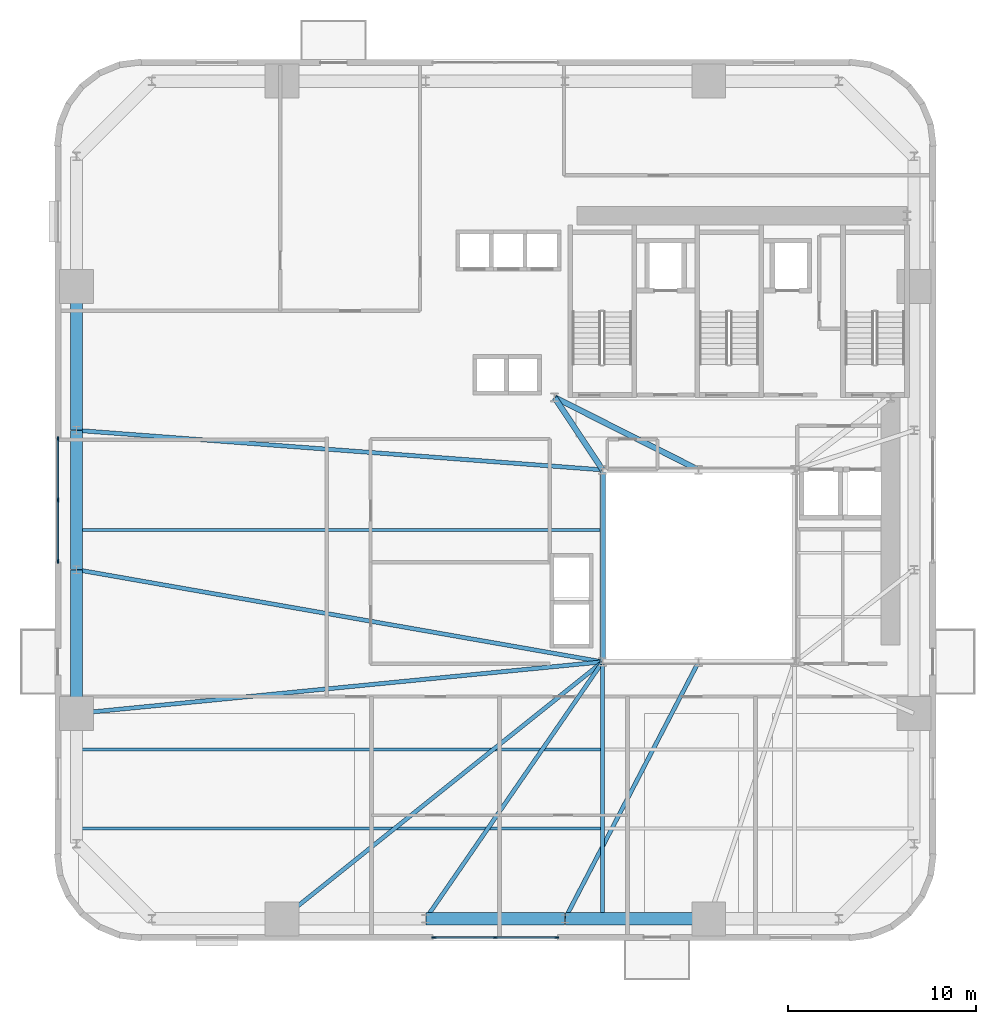
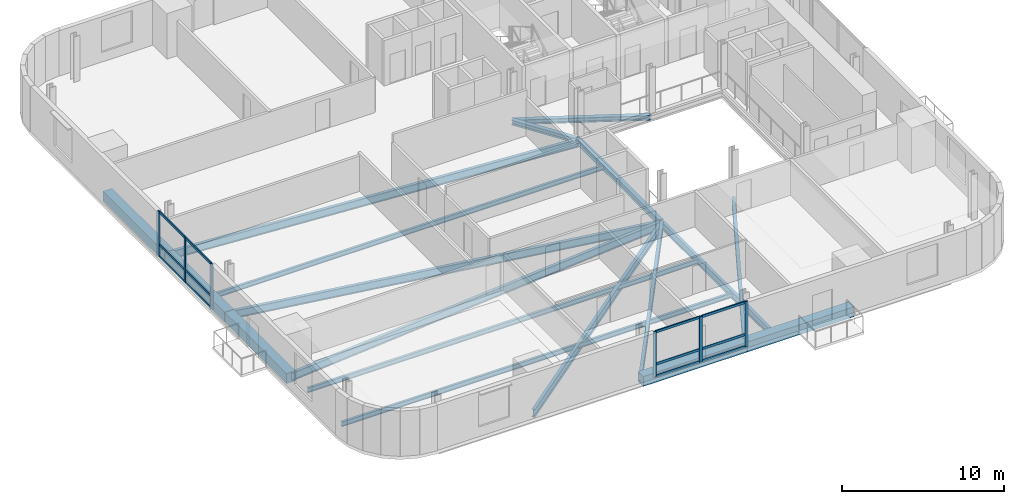
# One storey, part 2 of 13: 18 beams, 18 members, 2 elements without a shape of their own.
"""IFC4 building model written with IfcOpenShell, lengths in metres."""

from ifc_helpers import new_model, si_unit, direction, frame, origin, origin_2d, place, context, subcontext, project, spatial, rectangle, i_section, extrude, source, transform, mapped, material, material_profile, profile_set, type_object, element, aggregate, save


model = new_model("IFC4")

# Units and contexts
model_context = context("Model", 3, precision=1e-05, world=origin(), true_north=direction((0.0, 1.0)))
body_context = subcontext(model_context, "Body", "Model", "MODEL_VIEW")
ifc_project = project(units=[si_unit("LENGTHUNIT", "METRE"), si_unit("AREAUNIT", "SQUARE_METRE"), si_unit("VOLUMEUNIT", "CUBIC_METRE"), si_unit("PLANEANGLEUNIT", "RADIAN"), si_unit("MASSUNIT", "GRAM", prefix="KILO")], contexts=[model_context])

# Site, building, storey
site_placement = place(None, origin())
site = spatial("IfcSite", under=ifc_project, at=site_placement, CompositionType="ELEMENT")
building_placement = place(site_placement, origin())
building = spatial("IfcBuilding", under=site, at=building_placement, Name="Vardaveli Station Tower", CompositionType="ELEMENT")
storey_placement = place(building_placement, frame((0.0, 0.0, 75.050048828125)))
storey = spatial("IfcBuildingStorey", under=building, at=storey_placement, Name="L19", CompositionType="ELEMENT", Elevation=75.050048828125)

# Beams
ifc_material_1 = material(Name="Structural steel S355J2", Category="steel")
ifc_material_profile_1 = material_profile(ifc_material_1, i_section(OverallWidth=0.300048828125, OverallDepth=0.449951171875, WebThickness=0.013916015625, FlangeThickness=0.02587890625, FilletRadius=0.027099609375, at=origin_2d()), Name="HEB 450")
ifc_profile_set_1 = profile_set([ifc_material_profile_1], Name="Structural steel S355J2")
beam_type_1 = type_object("IfcBeamType", Name="BM-HEB450", PredefinedType="BEAM", material=ifc_profile_set_1)
shared_shape_1 = source(origin(), body_context, "Body", "SweptSolid", [
    extrude(i_section(OverallWidth=0.300048828125, OverallDepth=0.449951171875, WebThickness=0.013916015625, FlangeThickness=0.02587890625, FilletRadius=0.027099609375, at=origin_2d()), origin(), (0.0, 0.0, 1.0), 10.159912109375),
])
beam_1_placement = place(storey_placement, frame((31.199951171875, 26.780029296875, -0.465087890625), z_axis=(0.0, -1.0, 0.0), x_axis=(1.0, 0.0, 0.0)))
element("IfcBeam", 1, at=beam_1_placement, inside=storey, type_object=beam_type_1, Name="ABM-L19-06", PredefinedType="BEAM", context=body_context, shape_type="MappedRepresentation", body=[
    mapped(shared_shape_1, transform((0.0, 0.0, 0.0), scale=1.0)),
])
ifc_material_profile_2 = material_profile(ifc_material_1, i_section(OverallWidth=0.300048828125, OverallDepth=0.360107421875, WebThickness=0.012451171875, FlangeThickness=0.0224609375, FilletRadius=0.027099609375, at=origin_2d()), Name="HEB 360")
ifc_profile_set_2 = profile_set([ifc_material_profile_2], Name="Structural steel S355J2")
beam_type_2 = type_object("IfcBeamType", Name="BM-HEB360", PredefinedType="BEAM", material=ifc_profile_set_2)
shared_shape_2 = source(origin(), body_context, "Body", "SweptSolid", [
    extrude(i_section(OverallWidth=0.300048828125, OverallDepth=0.360107421875, WebThickness=0.012451171875, FlangeThickness=0.0224609375, FilletRadius=0.027099609375, at=origin_2d()), origin(), (0.0, 0.0, 1.0), 4.577880859375),
])
beam_2_placement = place(storey_placement, frame((31.18896484375, 26.816650390625, -0.420166015625), z_axis=(-0.55218702139, 0.833720272879, 0.0), x_axis=(-0.833720272879, -0.55218702139, 0.0)))
element("IfcBeam", 2, at=beam_2_placement, inside=storey, type_object=beam_type_2, Name="CBM-L19-01", PredefinedType="BEAM", context=body_context, shape_type="MappedRepresentation", body=[
    mapped(shared_shape_2, transform((0.0, 0.0, 0.0), scale=1.0)),
])
shared_shape_3 = source(origin(), body_context, "Body", "SweptSolid", [
    extrude(i_section(OverallWidth=0.300048828125, OverallDepth=0.360107421875, WebThickness=0.012451171875, FlangeThickness=0.0224609375, FilletRadius=0.027099609375, at=origin_2d()), origin(), (0.0, 0.0, 1.0), 8.524169921875),
])
beam_3_placement = place(storey_placement, frame((28.66796875, 30.64111328125, -0.420166015625), z_axis=(0.893255584708, -0.449549174605, 0.0), x_axis=(0.449549174605, 0.893255584708, 0.0)))
element("IfcBeam", 3, at=beam_3_placement, inside=storey, type_object=beam_type_2, Name="CBM-L19-03", PredefinedType="BEAM", context=body_context, shape_type="MappedRepresentation", body=[
    mapped(shared_shape_3, transform((0.0, 0.0, 0.0), scale=1.0)),
])
ifc_material_2 = material(Name="Precast concrete C45/55", Category="concrete")
ifc_material_profile_3 = material_profile(ifc_material_2, rectangle(XDim=0.64990234375, YDim=0.75, at=origin_2d()), Name="LPB 650x750")
ifc_profile_set_3 = profile_set([ifc_material_profile_3], Name="Precast concrete C45/55")
beam_type_3 = type_object("IfcBeamType", Name="BM-LPB-750", PredefinedType="BEAM", material=ifc_profile_set_3)
shared_shape_4 = source(origin(), body_context, "Body", "SweptSolid", [
    extrude(rectangle(XDim=0.64990234375, YDim=0.75, at=origin_2d()), origin(), (0.0, 0.0, 1.0), 7.60009765625),
])
for number, where, z_axis, x_axis, name in (
    (4, (29.219970703125, 2.949951171875, -0.614990234375), (1.0, 0.0, 0.0), (0.0, 1.0, 0.0), "RBM-L19-03"),
    (5, (3.25, 36.52001953125, -0.614990234375), (0.0, -1.0, 0.0), (1.0, 0.0, 0.0), "RBM-L19-19"),
    (6, (3.25, 21.47998046875, -0.614990234375), (0.0, -1.0, 0.0), (1.0, 0.0, 0.0), "RBM-L19-21"),
):
    element("IfcBeam", number, at=place(storey_placement, frame(where, z_axis=z_axis, x_axis=x_axis)), inside=storey, type_object=beam_type_3, Name=name, PredefinedType="BEAM", context=body_context, shape_type="MappedRepresentation", body=[
        mapped(shared_shape_4, transform((0.0, 0.0, 0.0), scale=1.0)),
    ])
shared_shape_5 = source(origin(), body_context, "Body", "SweptSolid", [
    extrude(rectangle(XDim=0.64990234375, YDim=0.75, at=origin_2d()), origin(), (0.0, 0.0, 1.0), 7.35986328125),
])
for number, where, z_axis, x_axis, name in (
    (7, (21.820068359375, 2.949951171875, -0.614990234375), (1.0, 0.0, 0.0), (0.0, 1.0, 0.0), "RBM-L19-02"),
    (8, (3.25, 28.8798828125, -0.614990234375), (0.0, -1.0, 0.0), (1.0, 0.0, 0.0), "RBM-L19-20"),
):
    element("IfcBeam", number, at=place(storey_placement, frame(where, z_axis=z_axis, x_axis=x_axis)), inside=storey, type_object=beam_type_3, Name=name, PredefinedType="BEAM", context=body_context, shape_type="MappedRepresentation", body=[
        mapped(shared_shape_5, transform((0.0, 0.0, 0.0), scale=1.0)),
    ])
ifc_material_profile_4 = material_profile(ifc_material_1, i_section(OverallWidth=0.219970703125, OverallDepth=0.60009765625, WebThickness=0.011962890625, FlangeThickness=0.01904296875, FilletRadius=0.02392578125, at=origin_2d()), Name="IPE 600")
ifc_profile_set_4 = profile_set([ifc_material_profile_4], Name="Structural steel S355J2")
beam_type_4 = type_object("IfcBeamType", Name="BM-IPE600", PredefinedType="BEAM", material=ifc_profile_set_4)
shared_shape_6 = source(origin(), body_context, "Body", "SweptSolid", [
    extrude(i_section(OverallWidth=0.219970703125, OverallDepth=0.60009765625, WebThickness=0.011962890625, FlangeThickness=0.01904296875, FilletRadius=0.02392578125, at=origin_2d()), origin(), (0.0, 0.0, 1.0), 21.793212890625),
])
beam_4_placement = place(storey_placement, frame((14.175537109375, 2.96240234375, -0.5400390625), z_axis=(0.780466445023, 0.625197671296, 0.0), x_axis=(-0.625197671296, 0.780466445023, 0.0)))
element("IfcBeam", 9, at=beam_4_placement, inside=storey, type_object=beam_type_4, Name="GBM-L19-01", PredefinedType="BEAM", context=body_context, shape_type="MappedRepresentation", body=[
    mapped(shared_shape_6, transform((0.0, 0.0, 0.0), scale=1.0)),
])
shared_shape_7 = source(origin(), body_context, "Body", "SweptSolid", [
    extrude(i_section(OverallWidth=0.219970703125, OverallDepth=0.60009765625, WebThickness=0.011962890625, FlangeThickness=0.01904296875, FilletRadius=0.02392578125, at=origin_2d()), origin(), (0.0, 0.0, 1.0), 16.533447265625),
])
beam_5_placement = place(storey_placement, frame((21.811279296875, 2.966552734375, -0.5400390625), z_axis=(0.567177272103, 0.823595739431, 0.0), x_axis=(-0.823595739431, 0.567177272103, 0.0)))
element("IfcBeam", 10, at=beam_5_placement, inside=storey, type_object=beam_type_4, Name="GBM-L19-02", PredefinedType="BEAM", context=body_context, shape_type="MappedRepresentation", body=[
    mapped(shared_shape_7, transform((0.0, 0.0, 0.0), scale=1.0)),
])
shared_shape_8 = source(origin(), body_context, "Body", "SweptSolid", [
    extrude(i_section(OverallWidth=0.219970703125, OverallDepth=0.60009765625, WebThickness=0.011962890625, FlangeThickness=0.01904296875, FilletRadius=0.02392578125, at=origin_2d()), origin(), (0.0, 0.0, 1.0), 15.34619140625),
])
beam_6_placement = place(storey_placement, frame((29.209228515625, 2.9677734375, -0.5400390625), z_axis=(0.461455420507, 0.887163398075, 0.0), x_axis=(-0.887163398075, 0.461455420507, 0.0)))
element("IfcBeam", 11, at=beam_6_placement, inside=storey, type_object=beam_type_4, Name="GBM-L19-03", PredefinedType="BEAM", context=body_context, shape_type="MappedRepresentation", body=[
    mapped(shared_shape_8, transform((0.0, 0.0, 0.0), scale=1.0)),
])
shared_shape_9 = source(origin(), body_context, "Body", "SweptSolid", [
    extrude(i_section(OverallWidth=0.219970703125, OverallDepth=0.60009765625, WebThickness=0.011962890625, FlangeThickness=0.01904296875, FilletRadius=0.02392578125, at=origin_2d()), origin(), (0.0, 0.0, 1.0), 27.98876953125),
])
beam_7_placement = place(storey_placement, frame((3.27001953125, 28.8984375, -0.5400390625), z_axis=(0.99718954315, -0.074920057611, 0.0), x_axis=(0.074920057611, 0.99718954315, 0.0)))
element("IfcBeam", 12, at=beam_7_placement, inside=storey, type_object=beam_type_4, Name="GBM-L19-08", PredefinedType="BEAM", context=body_context, shape_type="MappedRepresentation", body=[
    mapped(shared_shape_9, transform((0.0, 0.0, 0.0), scale=1.0)),
])
shared_shape_10 = source(origin(), body_context, "Body", "SweptSolid", [
    extrude(i_section(OverallWidth=0.219970703125, OverallDepth=0.60009765625, WebThickness=0.011962890625, FlangeThickness=0.01904296875, FilletRadius=0.02392578125, at=origin_2d()), origin(), (0.0, 0.0, 1.0), 28.33642578125),
])
beam_8_placement = place(storey_placement, frame((3.269775390625, 21.49658203125, -0.5400390625), z_axis=(0.984978267336, -0.172678350921, 0.0), x_axis=(0.172678350921, 0.984978267336, 0.0)))
element("IfcBeam", 13, at=beam_8_placement, inside=storey, type_object=beam_type_4, Name="GBM-L19-09", PredefinedType="BEAM", context=body_context, shape_type="MappedRepresentation", body=[
    mapped(shared_shape_10, transform((0.0, 0.0, 0.0), scale=1.0)),
])
shared_shape_11 = source(origin(), body_context, "Body", "SweptSolid", [
    extrude(i_section(OverallWidth=0.219970703125, OverallDepth=0.60009765625, WebThickness=0.011962890625, FlangeThickness=0.01904296875, FilletRadius=0.02392578125, at=origin_2d()), origin(), (0.0, 0.0, 1.0), 28.0439453125),
])
beam_9_placement = place(storey_placement, frame((3.27001953125, 13.862060546875, -0.5400390625), z_axis=(0.995229237856, 0.097564153855, 0.0), x_axis=(-0.097564153855, 0.995229237856, 0.0)))
element("IfcBeam", 14, at=beam_9_placement, inside=storey, type_object=beam_type_4, Name="GBM-L19-10", PredefinedType="BEAM", context=body_context, shape_type="MappedRepresentation", body=[
    mapped(shared_shape_11, transform((0.0, 0.0, 0.0), scale=1.0)),
])
ifc_material_profile_5 = material_profile(ifc_material_1, i_section(OverallWidth=0.2099609375, OverallDepth=0.550048828125, WebThickness=0.010986328125, FlangeThickness=0.01708984375, FilletRadius=0.02392578125, at=origin_2d()), Name="IPE 550")
ifc_profile_set_5 = profile_set([ifc_material_profile_5], Name="Structural steel S355J2")
beam_type_5 = type_object("IfcBeamType", Name="BM-IPE550", PredefinedType="BEAM", material=ifc_profile_set_5)
shared_shape_12 = source(origin(), body_context, "Body", "SweptSolid", [
    extrude(i_section(OverallWidth=0.2099609375, OverallDepth=0.550048828125, WebThickness=0.010986328125, FlangeThickness=0.01708984375, FilletRadius=0.02392578125, at=origin_2d()), origin(), (0.0, 0.0, 1.0), 13.469970703125),
])
beam_10_placement = place(storey_placement, frame((31.199951171875, 2.989990234375, -0.51513671875), z_axis=(0.0, 1.0, 0.0), x_axis=(-1.0, 0.0, 0.0)))
element("IfcBeam", 15, at=beam_10_placement, inside=storey, type_object=beam_type_5, Name="NSM-L19-S1", PredefinedType="BEAM", context=body_context, shape_type="MappedRepresentation", body=[
    mapped(shared_shape_12, transform((0.0, 0.0, 0.0), scale=1.0)),
])
ifc_material_profile_6 = material_profile(ifc_material_1, i_section(OverallWidth=0.169921875, OverallDepth=0.360107421875, WebThickness=0.008056640625, FlangeThickness=0.0126953125, FilletRadius=0.01806640625, at=origin_2d()), Name="IPE 360")
ifc_profile_set_6 = profile_set([ifc_material_profile_6], Name="Structural steel S355J2")
beam_type_6 = type_object("IfcBeamType", Name="BM-IPE360", PredefinedType="JOIST", material=ifc_profile_set_6)
shared_shape_13 = source(origin(), body_context, "Body", "SweptSolid", [
    extrude(i_section(OverallWidth=0.169921875, OverallDepth=0.360107421875, WebThickness=0.008056640625, FlangeThickness=0.0126953125, FilletRadius=0.01806640625, at=origin_2d()), origin(), (0.0, 0.0, 1.0), 27.7978515625),
])
for number, where, z_axis, x_axis, name in (
    (16, (3.2900390625, 7.75, -0.420166015625), (1.0, 0.0, 0.0), (0.0, 1.0, 0.0), "SJ-L19-S01"),
    (17, (3.2900390625, 11.949951171875, -0.420166015625), (1.0, 0.0, 0.0), (0.0, 1.0, 0.0), "SJ-L19-S04"),
    (18, (3.2900390625, 23.60009765625, -0.420166015625), (1.0, 0.0, 0.0), (0.0, 1.0, 0.0), "SJ-L19-W08"),
):
    element("IfcBeam", number, at=place(storey_placement, frame(where, z_axis=z_axis, x_axis=x_axis)), inside=storey, type_object=beam_type_6, Name=name, PredefinedType="JOIST", context=body_context, shape_type="MappedRepresentation", body=[
        mapped(shared_shape_13, transform((0.0, 0.0, 0.0), scale=1.0)),
    ])

# Curtain wall, members
ifc_material_3 = material(Name="Travertine stone and solar-control glass", Category="masonry")
curtain_wall_type = type_object("IfcCurtainWallType", Name="CW-SYS-2", PredefinedType="NOTDEFINED", material=ifc_material_3)
curtain_wall_1_placement = place(storey_placement, origin())
curtain_wall_1 = element("IfcCurtainWall", 19, at=curtain_wall_1_placement, inside=storey, type_object=curtain_wall_type, Name="CW-L19-S", PredefinedType="NOTDEFINED")
ifc_material_4 = material(Name="Anodised aluminium alloy 6063-T6", Category="aluminium")
ifc_material_profile_7 = material_profile(ifc_material_4, rectangle(XDim=0.0849609375, YDim=0.219970703125, at=origin_2d()), Name="CWM 85x220")
ifc_profile_set_7 = profile_set([ifc_material_profile_7], Name="Anodised aluminium alloy 6063-T6")
member_type_1 = type_object("IfcMemberType", Name="CW-SYS-2-MULL", PredefinedType="MULLION", material=ifc_profile_set_7)
shared_shape_14 = source(origin(), body_context, "Body", "SweptSolid", [
    extrude(rectangle(XDim=0.0849609375, YDim=0.219970703125, at=origin_2d()), origin(), (0.0, 0.0, 1.0), 3.409912109375),
])
member_1_placement = place(storey_placement, frame((22.242431640625, 1.9599609375, 0.0), z_axis=(0.0, 0.0, 1.0), x_axis=(0.0, 1.0, 0.0)))
member_1 = element("IfcMember", 20, at=member_1_placement, type_object=member_type_1, Name="CW-2 mullion 1", PredefinedType="MULLION", context=body_context, shape_type="MappedRepresentation", body=[
    mapped(shared_shape_14, transform((0.0, 0.0, 0.0), scale=1.0)),
])
member_2_placement = place(storey_placement, frame((25.5, 1.9599609375, 0.0), z_axis=(0.0, 0.0, 1.0), x_axis=(0.0, 1.0, 0.0)))
member_2 = element("IfcMember", 21, at=member_2_placement, type_object=member_type_1, Name="CW-2 mullion 2", PredefinedType="MULLION", context=body_context, shape_type="MappedRepresentation", body=[
    mapped(shared_shape_14, transform((0.0, 0.0, 0.0), scale=1.0)),
])
member_3_placement = place(storey_placement, frame((28.757568359375, 1.9599609375, 0.0), z_axis=(0.0, 0.0, 1.0), x_axis=(0.0, 1.0, 0.0)))
member_3 = element("IfcMember", 22, at=member_3_placement, type_object=member_type_1, Name="CW-2 mullion 3", PredefinedType="MULLION", context=body_context, shape_type="MappedRepresentation", body=[
    mapped(shared_shape_14, transform((0.0, 0.0, 0.0), scale=1.0)),
])

curtain_wall_2_placement = place(storey_placement, origin())
curtain_wall_2 = element("IfcCurtainWall", 23, at=curtain_wall_2_placement, inside=storey, type_object=curtain_wall_type, Name="CW-L19-W", PredefinedType="NOTDEFINED")
member_4_placement = place(storey_placement, frame((2.260009765625, 28.45751953125, 0.0), z_axis=(0.0, 0.0, 1.0), x_axis=(1.0, 0.0, 0.0)))
member_4 = element("IfcMember", 24, at=member_4_placement, type_object=member_type_1, Name="CW-2 mullion 1", PredefinedType="MULLION", context=body_context, shape_type="MappedRepresentation", body=[
    mapped(shared_shape_14, transform((0.0, 0.0, 0.0), scale=1.0)),
])
member_5_placement = place(storey_placement, frame((2.260009765625, 25.199951171875, 0.0), z_axis=(0.0, 0.0, 1.0), x_axis=(1.0, 0.0, 0.0)))
member_5 = element("IfcMember", 25, at=member_5_placement, type_object=member_type_1, Name="CW-2 mullion 2", PredefinedType="MULLION", context=body_context, shape_type="MappedRepresentation", body=[
    mapped(shared_shape_14, transform((0.0, 0.0, 0.0), scale=1.0)),
])
member_6_placement = place(storey_placement, frame((2.260009765625, 21.9423828125, 0.0), z_axis=(0.0, 0.0, 1.0), x_axis=(1.0, 0.0, 0.0)))
member_6 = element("IfcMember", 26, at=member_6_placement, type_object=member_type_1, Name="CW-2 mullion 3", PredefinedType="MULLION", context=body_context, shape_type="MappedRepresentation", body=[
    mapped(shared_shape_14, transform((0.0, 0.0, 0.0), scale=1.0)),
])

# Member
ifc_material_profile_8 = material_profile(ifc_material_4, rectangle(XDim=0.0849609375, YDim=0.179931640625, at=origin_2d()), Name="CWT 85x180")
ifc_profile_set_8 = profile_set([ifc_material_profile_8], Name="Anodised aluminium alloy 6063-T6")
member_type_2 = type_object("IfcMemberType", Name="CW-SYS-2-TRAN", PredefinedType="NOTDEFINED", material=ifc_profile_set_8)
shared_shape_15 = source(origin(), body_context, "Body", "SweptSolid", [
    extrude(rectangle(XDim=0.0849609375, YDim=0.179931640625, at=origin_2d()), origin(), (0.0, 0.0, 1.0), 3.172607421875),
])
member_7_placement = place(storey_placement, frame((22.284912109375, 1.9599609375, 0.04248046875), z_axis=(1.0, 0.0, 0.0), x_axis=(0.0, 1.0, 0.0)))
member_7 = element("IfcMember", 27, at=member_7_placement, type_object=member_type_2, Name="CW-2 transom 1.1", ObjectType="TRANSOM", PredefinedType="USERDEFINED", context=body_context, shape_type="MappedRepresentation", body=[
    mapped(shared_shape_15, transform((0.0, 0.0, 0.0), scale=1.0)),
])

member_8_placement = place(storey_placement, frame((22.284912109375, 1.9599609375, 0.949951171875), z_axis=(1.0, 0.0, 0.0), x_axis=(0.0, 1.0, 0.0)))
member_8 = element("IfcMember", 28, at=member_8_placement, type_object=member_type_2, Name="CW-2 transom 1.2", ObjectType="TRANSOM", PredefinedType="USERDEFINED", context=body_context, shape_type="MappedRepresentation", body=[
    mapped(shared_shape_15, transform((0.0, 0.0, 0.0), scale=1.0)),
])

member_9_placement = place(storey_placement, frame((22.284912109375, 1.9599609375, 3.367431640625), z_axis=(1.0, 0.0, 0.0), x_axis=(0.0, 1.0, 0.0)))
member_9 = element("IfcMember", 29, at=member_9_placement, type_object=member_type_2, Name="CW-2 transom 1.3", ObjectType="TRANSOM", PredefinedType="USERDEFINED", context=body_context, shape_type="MappedRepresentation", body=[
    mapped(shared_shape_15, transform((0.0, 0.0, 0.0), scale=1.0)),
])

member_10_placement = place(storey_placement, frame((25.54248046875, 1.9599609375, 0.04248046875), z_axis=(1.0, 0.0, 0.0), x_axis=(0.0, 1.0, 0.0)))
member_10 = element("IfcMember", 30, at=member_10_placement, type_object=member_type_2, Name="CW-2 transom 2.1", ObjectType="TRANSOM", PredefinedType="USERDEFINED", context=body_context, shape_type="MappedRepresentation", body=[
    mapped(shared_shape_15, transform((0.0, 0.0, 0.0), scale=1.0)),
])

member_11_placement = place(storey_placement, frame((25.54248046875, 1.9599609375, 0.949951171875), z_axis=(1.0, 0.0, 0.0), x_axis=(0.0, 1.0, 0.0)))
member_11 = element("IfcMember", 31, at=member_11_placement, type_object=member_type_2, Name="CW-2 transom 2.2", ObjectType="TRANSOM", PredefinedType="USERDEFINED", context=body_context, shape_type="MappedRepresentation", body=[
    mapped(shared_shape_15, transform((0.0, 0.0, 0.0), scale=1.0)),
])

member_12_placement = place(storey_placement, frame((25.54248046875, 1.9599609375, 3.367431640625), z_axis=(1.0, 0.0, 0.0), x_axis=(0.0, 1.0, 0.0)))
member_12 = element("IfcMember", 32, at=member_12_placement, type_object=member_type_2, Name="CW-2 transom 2.3", ObjectType="TRANSOM", PredefinedType="USERDEFINED", context=body_context, shape_type="MappedRepresentation", body=[
    mapped(shared_shape_15, transform((0.0, 0.0, 0.0), scale=1.0)),
])

aggregate(curtain_wall_1, [member_1, member_2, member_3, member_7, member_8, member_9, member_10, member_11, member_12])

member_13_placement = place(storey_placement, frame((2.260009765625, 28.4150390625, 0.04248046875), z_axis=(0.0, -1.0, 0.0), x_axis=(1.0, 0.0, 0.0)))
member_13 = element("IfcMember", 33, at=member_13_placement, type_object=member_type_2, Name="CW-2 transom 1.1", ObjectType="TRANSOM", PredefinedType="USERDEFINED", context=body_context, shape_type="MappedRepresentation", body=[
    mapped(shared_shape_15, transform((0.0, 0.0, 0.0), scale=1.0)),
])

member_14_placement = place(storey_placement, frame((2.260009765625, 28.4150390625, 0.949951171875), z_axis=(0.0, -1.0, 0.0), x_axis=(1.0, 0.0, 0.0)))
member_14 = element("IfcMember", 34, at=member_14_placement, type_object=member_type_2, Name="CW-2 transom 1.2", ObjectType="TRANSOM", PredefinedType="USERDEFINED", context=body_context, shape_type="MappedRepresentation", body=[
    mapped(shared_shape_15, transform((0.0, 0.0, 0.0), scale=1.0)),
])

member_15_placement = place(storey_placement, frame((2.260009765625, 28.4150390625, 3.367431640625), z_axis=(0.0, -1.0, 0.0), x_axis=(1.0, 0.0, 0.0)))
member_15 = element("IfcMember", 35, at=member_15_placement, type_object=member_type_2, Name="CW-2 transom 1.3", ObjectType="TRANSOM", PredefinedType="USERDEFINED", context=body_context, shape_type="MappedRepresentation", body=[
    mapped(shared_shape_15, transform((0.0, 0.0, 0.0), scale=1.0)),
])

shared_shape_16 = source(origin(), body_context, "Body", "SweptSolid", [
    extrude(rectangle(XDim=0.0849609375, YDim=0.179931640625, at=origin_2d()), origin(), (0.0, 0.0, 1.0), 3.17236328125),
])
member_16_placement = place(storey_placement, frame((2.260009765625, 25.157470703125, 0.04248046875), z_axis=(0.0, -1.0, 0.0), x_axis=(1.0, 0.0, 0.0)))
member_16 = element("IfcMember", 36, at=member_16_placement, type_object=member_type_2, Name="CW-2 transom 2.1", ObjectType="TRANSOM", PredefinedType="USERDEFINED", context=body_context, shape_type="MappedRepresentation", body=[
    mapped(shared_shape_16, transform((0.0, 0.0, 0.0), scale=1.0)),
])

member_17_placement = place(storey_placement, frame((2.260009765625, 25.157470703125, 0.949951171875), z_axis=(0.0, -1.0, 0.0), x_axis=(1.0, 0.0, 0.0)))
member_17 = element("IfcMember", 37, at=member_17_placement, type_object=member_type_2, Name="CW-2 transom 2.2", ObjectType="TRANSOM", PredefinedType="USERDEFINED", context=body_context, shape_type="MappedRepresentation", body=[
    mapped(shared_shape_16, transform((0.0, 0.0, 0.0), scale=1.0)),
])

member_18_placement = place(storey_placement, frame((2.260009765625, 25.157470703125, 3.367431640625), z_axis=(0.0, -1.0, 0.0), x_axis=(1.0, 0.0, 0.0)))
member_18 = element("IfcMember", 38, at=member_18_placement, type_object=member_type_2, Name="CW-2 transom 2.3", ObjectType="TRANSOM", PredefinedType="USERDEFINED", context=body_context, shape_type="MappedRepresentation", body=[
    mapped(shared_shape_16, transform((0.0, 0.0, 0.0), scale=1.0)),
])

aggregate(curtain_wall_2, [member_4, member_5, member_6, member_13, member_14, member_15, member_16, member_17, member_18])

save(model, "model.ifc")
